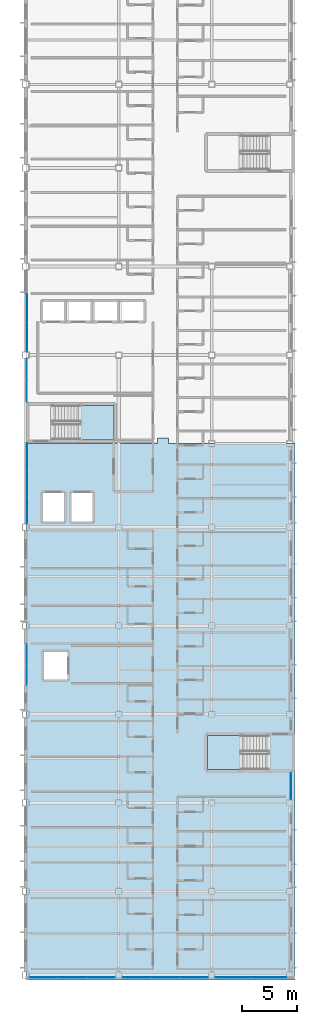
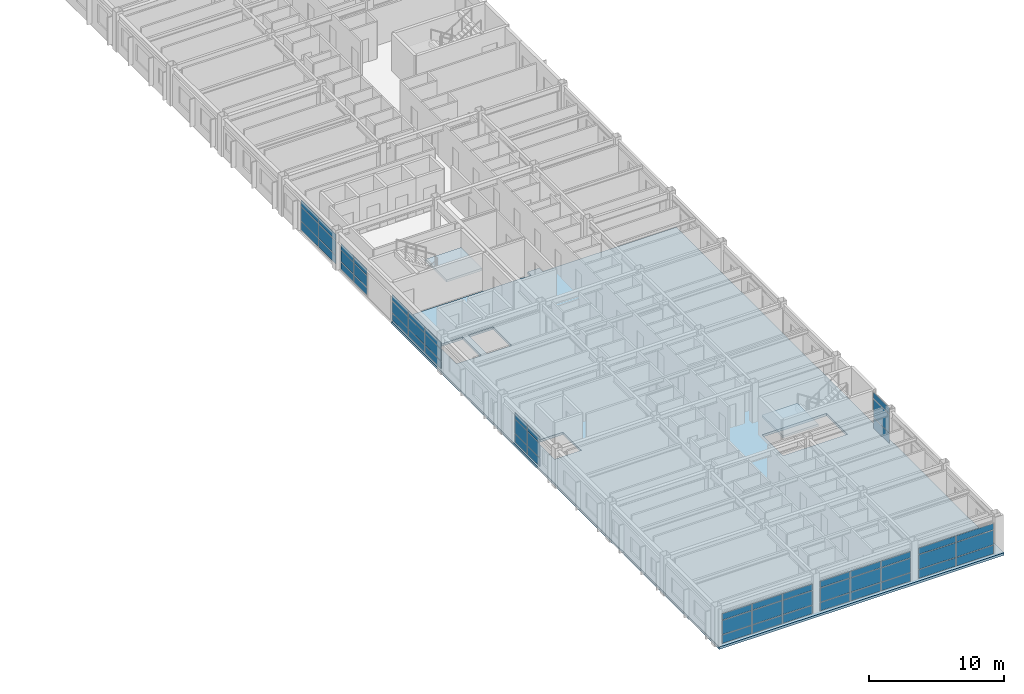
# One storey, part 21 of 38: 54 plates, 3 slabs, 10 elements without a shape of their own.
"""IFC4 building model written with IfcOpenShell, lengths in metres."""

from ifc_helpers import new_model, si_unit, direction, frame, origin, origin_2d, place, context, subcontext, project, spatial, polyline, rectangle, outline, extrude, material, layer, layer_set, type_object, element, aggregate, save


model = new_model("IFC4")

# Units and contexts
model_context = context("Model", 3, precision=1e-05, world=origin(), true_north=direction((0.0, 1.0)))
body_context = subcontext(model_context, "Body", "Model", "MODEL_VIEW")
ifc_project = project(units=[si_unit("LENGTHUNIT", "METRE"), si_unit("AREAUNIT", "SQUARE_METRE"), si_unit("VOLUMEUNIT", "CUBIC_METRE"), si_unit("PLANEANGLEUNIT", "RADIAN"), si_unit("MASSUNIT", "GRAM", prefix="KILO")], contexts=[model_context])

# Site, building, storey
site_placement = place(None, origin())
site = spatial("IfcSite", under=ifc_project, at=site_placement, CompositionType="ELEMENT")
building_placement = place(site_placement, origin())
building = spatial("IfcBuilding", under=site, at=building_placement, Name="Kazehara Bluff Congress Hotel", CompositionType="ELEMENT")
storey_placement = place(building_placement, frame((0.0, 0.0, 24.60009765625)))
storey = spatial("IfcBuildingStorey", under=building, at=storey_placement, Name="L05", CompositionType="ELEMENT", Elevation=24.60009765625)

# Curtain wall, plates
ifc_material_1 = material(Name="Anodised aluminium", Category="aluminium")
ifc_layer_1 = layer(ifc_material_1, 0.159912109375)
ifc_layer_set_1 = layer_set([ifc_layer_1], Name="Anodised aluminium")
curtain_wall_type_1 = type_object("IfcCurtainWallType", Name="TP-CW-171", PredefinedType="NOTDEFINED", material=ifc_layer_set_1)
curtain_wall_1_placement = place(storey_placement, origin())
curtain_wall_1 = element("IfcCurtainWall", 1, at=curtain_wall_1_placement, inside=storey, type_object=curtain_wall_type_1, Name="L05 curtain wall CW-171 CW-ENC-V5-L05-14791-22", PredefinedType="NOTDEFINED")
ifc_material_2 = material(Name="Insulated low-E double glazing", Category="glass")
ifc_layer_2 = layer(ifc_material_2, 0.028076171875)
ifc_layer_set_2 = layer_set([ifc_layer_2], Name="Insulated low-E double glazing")
plate_type_1 = type_object("IfcPlateType", Name="TP-CWP-01", PredefinedType="CURTAIN_PANEL", material=ifc_layer_set_2)
plate_1_placement = place(storey_placement, frame((150.504638671875, 0.219970703125, 0.06494140625), z_axis=(0.0, 0.0, 1.0), x_axis=(-1.0, 0.0, 0.0)))
plate_1 = element("IfcPlate", 2, at=plate_1_placement, type_object=plate_type_1, Name="CW-171 panel 1.1", PredefinedType="CURTAIN_PANEL", context=body_context, shape_type="SweptSolid", body=[
    extrude(rectangle(XDim=2.5107421875, YDim=0.028076171875, at=origin_2d()), origin(), (0.0, 0.0, 1.0), 0.742431640625),
])
plate_2_placement = place(storey_placement, frame((150.504638671875, 0.219970703125, 0.872314453125), z_axis=(0.0, 0.0, 1.0), x_axis=(-1.0, 0.0, 0.0)))
plate_2 = element("IfcPlate", 3, at=plate_2_placement, type_object=plate_type_1, Name="CW-171 panel 1.2", PredefinedType="CURTAIN_PANEL", context=body_context, shape_type="SweptSolid", body=[
    extrude(rectangle(XDim=2.5107421875, YDim=0.028076171875, at=origin_2d()), origin(), (0.0, 0.0, 1.0), 1.25),
])
plate_3_placement = place(storey_placement, frame((150.504638671875, 0.219970703125, 2.1875), z_axis=(0.0, 0.0, 1.0), x_axis=(-1.0, 0.0, 0.0)))
plate_3 = element("IfcPlate", 4, at=plate_3_placement, type_object=plate_type_1, Name="CW-171 panel 1.3", PredefinedType="CURTAIN_PANEL", context=body_context, shape_type="SweptSolid", body=[
    extrude(rectangle(XDim=2.5107421875, YDim=0.028076171875, at=origin_2d()), origin(), (0.0, 0.0, 1.0), 0.552490234375),
])
plate_4_placement = place(storey_placement, frame((147.91259765625, 0.219970703125, 0.06494140625), z_axis=(0.0, 0.0, 1.0), x_axis=(-1.0, 0.0, 0.0)))
plate_4 = element("IfcPlate", 5, at=plate_4_placement, type_object=plate_type_1, Name="CW-171 panel 2.1", PredefinedType="CURTAIN_PANEL", context=body_context, shape_type="SweptSolid", body=[
    extrude(rectangle(XDim=2.543212890625, YDim=0.028076171875, at=origin_2d()), origin(), (0.0, 0.0, 1.0), 0.742431640625),
])
plate_5_placement = place(storey_placement, frame((147.91259765625, 0.219970703125, 0.872314453125), z_axis=(0.0, 0.0, 1.0), x_axis=(-1.0, 0.0, 0.0)))
plate_5 = element("IfcPlate", 6, at=plate_5_placement, type_object=plate_type_1, Name="CW-171 panel 2.2", PredefinedType="CURTAIN_PANEL", context=body_context, shape_type="SweptSolid", body=[
    extrude(rectangle(XDim=2.543212890625, YDim=0.028076171875, at=origin_2d()), origin(), (0.0, 0.0, 1.0), 1.25),
])
plate_6_placement = place(storey_placement, frame((147.91259765625, 0.219970703125, 2.1875), z_axis=(0.0, 0.0, 1.0), x_axis=(-1.0, 0.0, 0.0)))
plate_6 = element("IfcPlate", 7, at=plate_6_placement, type_object=plate_type_1, Name="CW-171 panel 2.3", PredefinedType="CURTAIN_PANEL", context=body_context, shape_type="SweptSolid", body=[
    extrude(rectangle(XDim=2.543212890625, YDim=0.028076171875, at=origin_2d()), origin(), (0.0, 0.0, 1.0), 0.552490234375),
])
plate_7_placement = place(storey_placement, frame((145.3203125, 0.219970703125, 0.06494140625), z_axis=(0.0, 0.0, 1.0), x_axis=(-1.0, 0.0, 0.0)))
plate_7 = element("IfcPlate", 8, at=plate_7_placement, type_object=plate_type_1, Name="CW-171 panel 3.1", PredefinedType="CURTAIN_PANEL", context=body_context, shape_type="SweptSolid", body=[
    extrude(rectangle(XDim=2.5107421875, YDim=0.028076171875, at=origin_2d()), origin(), (0.0, 0.0, 1.0), 0.742431640625),
])
plate_8_placement = place(storey_placement, frame((145.3203125, 0.219970703125, 0.872314453125), z_axis=(0.0, 0.0, 1.0), x_axis=(-1.0, 0.0, 0.0)))
plate_8 = element("IfcPlate", 9, at=plate_8_placement, type_object=plate_type_1, Name="CW-171 panel 3.2", PredefinedType="CURTAIN_PANEL", context=body_context, shape_type="SweptSolid", body=[
    extrude(rectangle(XDim=2.5107421875, YDim=0.028076171875, at=origin_2d()), origin(), (0.0, 0.0, 1.0), 1.25),
])
plate_9_placement = place(storey_placement, frame((145.3203125, 0.219970703125, 2.1875), z_axis=(0.0, 0.0, 1.0), x_axis=(-1.0, 0.0, 0.0)))
plate_9 = element("IfcPlate", 10, at=plate_9_placement, type_object=plate_type_1, Name="CW-171 panel 3.3", PredefinedType="CURTAIN_PANEL", context=body_context, shape_type="SweptSolid", body=[
    extrude(rectangle(XDim=2.5107421875, YDim=0.028076171875, at=origin_2d()), origin(), (0.0, 0.0, 1.0), 0.552490234375),
])
aggregate(curtain_wall_1, [plate_1, plate_2, plate_3, plate_4, plate_5, plate_6, plate_7, plate_8, plate_9])

ifc_material_3 = material(Name="Anodised aluminium", Category="aluminium")
ifc_layer_3 = layer(ifc_material_3, 0.159912109375)
ifc_layer_set_3 = layer_set([ifc_layer_3], Name="Anodised aluminium")
curtain_wall_type_2 = type_object("IfcCurtainWallType", Name="TP-CW-172", PredefinedType="NOTDEFINED", material=ifc_layer_set_3)
curtain_wall_2_placement = place(storey_placement, origin())
curtain_wall_2 = element("IfcCurtainWall", 11, at=curtain_wall_2_placement, inside=storey, type_object=curtain_wall_type_2, Name="L05 curtain wall CW-172 CW-ENC-V5-L05-15630-22", PredefinedType="NOTDEFINED")
plate_10_placement = place(storey_placement, frame((158.900390625, 0.219970703125, 0.06494140625), z_axis=(0.0, 0.0, 1.0), x_axis=(-1.0, 0.0, 0.0)))
plate_10 = element("IfcPlate", 12, at=plate_10_placement, type_object=plate_type_1, Name="CW-172 panel 1.1", PredefinedType="CURTAIN_PANEL", context=body_context, shape_type="SweptSolid", body=[
    extrude(rectangle(XDim=2.519287109375, YDim=0.028076171875, at=origin_2d()), origin(), (0.0, 0.0, 1.0), 0.742431640625),
])
plate_11_placement = place(storey_placement, frame((158.900390625, 0.219970703125, 0.872314453125), z_axis=(0.0, 0.0, 1.0), x_axis=(-1.0, 0.0, 0.0)))
plate_11 = element("IfcPlate", 13, at=plate_11_placement, type_object=plate_type_1, Name="CW-172 panel 1.2", PredefinedType="CURTAIN_PANEL", context=body_context, shape_type="SweptSolid", body=[
    extrude(rectangle(XDim=2.519287109375, YDim=0.028076171875, at=origin_2d()), origin(), (0.0, 0.0, 1.0), 1.25),
])
plate_12_placement = place(storey_placement, frame((158.900390625, 0.219970703125, 2.1875), z_axis=(0.0, 0.0, 1.0), x_axis=(-1.0, 0.0, 0.0)))
plate_12 = element("IfcPlate", 14, at=plate_12_placement, type_object=plate_type_1, Name="CW-172 panel 1.3", PredefinedType="CURTAIN_PANEL", context=body_context, shape_type="SweptSolid", body=[
    extrude(rectangle(XDim=2.519287109375, YDim=0.028076171875, at=origin_2d()), origin(), (0.0, 0.0, 1.0), 0.552490234375),
])
plate_13_placement = place(storey_placement, frame((156.300048828125, 0.219970703125, 0.06494140625), z_axis=(0.0, 0.0, 1.0), x_axis=(-1.0, 0.0, 0.0)))
plate_13 = element("IfcPlate", 15, at=plate_13_placement, type_object=plate_type_1, Name="CW-172 panel 2.1", PredefinedType="CURTAIN_PANEL", context=body_context, shape_type="SweptSolid", body=[
    extrude(rectangle(XDim=2.5517578125, YDim=0.028076171875, at=origin_2d()), origin(), (0.0, 0.0, 1.0), 0.742431640625),
])
plate_14_placement = place(storey_placement, frame((156.300048828125, 0.219970703125, 0.872314453125), z_axis=(0.0, 0.0, 1.0), x_axis=(-1.0, 0.0, 0.0)))
plate_14 = element("IfcPlate", 16, at=plate_14_placement, type_object=plate_type_1, Name="CW-172 panel 2.2", PredefinedType="CURTAIN_PANEL", context=body_context, shape_type="SweptSolid", body=[
    extrude(rectangle(XDim=2.5517578125, YDim=0.028076171875, at=origin_2d()), origin(), (0.0, 0.0, 1.0), 1.25),
])
plate_15_placement = place(storey_placement, frame((156.300048828125, 0.219970703125, 2.1875), z_axis=(0.0, 0.0, 1.0), x_axis=(-1.0, 0.0, 0.0)))
plate_15 = element("IfcPlate", 17, at=plate_15_placement, type_object=plate_type_1, Name="CW-172 panel 2.3", PredefinedType="CURTAIN_PANEL", context=body_context, shape_type="SweptSolid", body=[
    extrude(rectangle(XDim=2.5517578125, YDim=0.028076171875, at=origin_2d()), origin(), (0.0, 0.0, 1.0), 0.552490234375),
])
plate_16_placement = place(storey_placement, frame((153.699462890625, 0.219970703125, 0.06494140625), z_axis=(0.0, 0.0, 1.0), x_axis=(-1.0, 0.0, 0.0)))
plate_16 = element("IfcPlate", 18, at=plate_16_placement, type_object=plate_type_1, Name="CW-172 panel 3.1", PredefinedType="CURTAIN_PANEL", context=body_context, shape_type="SweptSolid", body=[
    extrude(rectangle(XDim=2.519287109375, YDim=0.028076171875, at=origin_2d()), origin(), (0.0, 0.0, 1.0), 0.742431640625),
])
plate_17_placement = place(storey_placement, frame((153.699462890625, 0.219970703125, 0.872314453125), z_axis=(0.0, 0.0, 1.0), x_axis=(-1.0, 0.0, 0.0)))
plate_17 = element("IfcPlate", 19, at=plate_17_placement, type_object=plate_type_1, Name="CW-172 panel 3.2", PredefinedType="CURTAIN_PANEL", context=body_context, shape_type="SweptSolid", body=[
    extrude(rectangle(XDim=2.519287109375, YDim=0.028076171875, at=origin_2d()), origin(), (0.0, 0.0, 1.0), 1.25),
])
plate_18_placement = place(storey_placement, frame((153.699462890625, 0.219970703125, 2.1875), z_axis=(0.0, 0.0, 1.0), x_axis=(-1.0, 0.0, 0.0)))
plate_18 = element("IfcPlate", 20, at=plate_18_placement, type_object=plate_type_1, Name="CW-172 panel 3.3", PredefinedType="CURTAIN_PANEL", context=body_context, shape_type="SweptSolid", body=[
    extrude(rectangle(XDim=2.519287109375, YDim=0.028076171875, at=origin_2d()), origin(), (0.0, 0.0, 1.0), 0.552490234375),
])
aggregate(curtain_wall_2, [plate_10, plate_11, plate_12, plate_13, plate_14, plate_15, plate_16, plate_17, plate_18])

ifc_material_4 = material(Name="Anodised aluminium", Category="aluminium")
ifc_layer_4 = layer(ifc_material_4, 0.159912109375)
ifc_layer_set_4 = layer_set([ifc_layer_4], Name="Anodised aluminium")
curtain_wall_type_3 = type_object("IfcCurtainWallType", Name="TP-CW-173", PredefinedType="NOTDEFINED", material=ifc_layer_set_4)
curtain_wall_3_placement = place(storey_placement, origin())
curtain_wall_3 = element("IfcCurtainWall", 21, at=curtain_wall_3_placement, inside=storey, type_object=curtain_wall_type_3, Name="L05 curtain wall CW-173 CW-ENC-V5-L05-16402-22", PredefinedType="NOTDEFINED")
plate_19_placement = place(storey_placement, frame((165.635009765625, 0.219970703125, 0.06005859375), z_axis=(0.0, 0.0, 1.0), x_axis=(-1.0, 0.0, 0.0)))
plate_19 = element("IfcPlate", 22, at=plate_19_placement, type_object=plate_type_1, Name="CW-173 panel 1.1", PredefinedType="CURTAIN_PANEL", context=body_context, shape_type="SweptSolid", body=[
    extrude(rectangle(XDim=3.159912109375, YDim=0.028076171875, at=origin_2d()), origin(), (0.0, 0.0, 1.0), 0.764892578125),
])
plate_20_placement = place(storey_placement, frame((165.635009765625, 0.219970703125, 0.884765625), z_axis=(0.0, 0.0, 1.0), x_axis=(-1.0, 0.0, 0.0)))
plate_20 = element("IfcPlate", 23, at=plate_20_placement, type_object=plate_type_1, Name="CW-173 panel 1.2", PredefinedType="CURTAIN_PANEL", context=body_context, shape_type="SweptSolid", body=[
    extrude(rectangle(XDim=3.159912109375, YDim=0.028076171875, at=origin_2d()), origin(), (0.0, 0.0, 1.0), 1.2900390625),
])
plate_21_placement = place(storey_placement, frame((165.635009765625, 0.219970703125, 2.23486328125), z_axis=(0.0, 0.0, 1.0), x_axis=(-1.0, 0.0, 0.0)))
plate_21 = element("IfcPlate", 24, at=plate_21_placement, type_object=plate_type_1, Name="CW-173 panel 1.3", PredefinedType="CURTAIN_PANEL", context=body_context, shape_type="SweptSolid", body=[
    extrude(rectangle(XDim=3.159912109375, YDim=0.028076171875, at=origin_2d()), origin(), (0.0, 0.0, 1.0), 0.56005859375),
])
plate_22_placement = place(storey_placement, frame((162.4150390625, 0.219970703125, 0.06005859375), z_axis=(0.0, 0.0, 1.0), x_axis=(-1.0, 0.0, 0.0)))
plate_22 = element("IfcPlate", 25, at=plate_22_placement, type_object=plate_type_1, Name="CW-173 panel 2.1", PredefinedType="CURTAIN_PANEL", context=body_context, shape_type="SweptSolid", body=[
    extrude(rectangle(XDim=3.159912109375, YDim=0.028076171875, at=origin_2d()), origin(), (0.0, 0.0, 1.0), 0.764892578125),
])
plate_23_placement = place(storey_placement, frame((162.4150390625, 0.219970703125, 0.884765625), z_axis=(0.0, 0.0, 1.0), x_axis=(-1.0, 0.0, 0.0)))
plate_23 = element("IfcPlate", 26, at=plate_23_placement, type_object=plate_type_1, Name="CW-173 panel 2.2", PredefinedType="CURTAIN_PANEL", context=body_context, shape_type="SweptSolid", body=[
    extrude(rectangle(XDim=3.159912109375, YDim=0.028076171875, at=origin_2d()), origin(), (0.0, 0.0, 1.0), 1.2900390625),
])
plate_24_placement = place(storey_placement, frame((162.4150390625, 0.219970703125, 2.23486328125), z_axis=(0.0, 0.0, 1.0), x_axis=(-1.0, 0.0, 0.0)))
plate_24 = element("IfcPlate", 27, at=plate_24_placement, type_object=plate_type_1, Name="CW-173 panel 2.3", PredefinedType="CURTAIN_PANEL", context=body_context, shape_type="SweptSolid", body=[
    extrude(rectangle(XDim=3.159912109375, YDim=0.028076171875, at=origin_2d()), origin(), (0.0, 0.0, 1.0), 0.56005859375),
])
aggregate(curtain_wall_3, [plate_19, plate_20, plate_21, plate_22, plate_23, plate_24])

ifc_material_5 = material(Name="Anodised aluminium", Category="aluminium")
ifc_layer_5 = layer(ifc_material_5, 0.159912109375)
ifc_layer_set_5 = layer_set([ifc_layer_5], Name="Anodised aluminium")
curtain_wall_type_4 = type_object("IfcCurtainWallType", Name="TP-CW-177", PredefinedType="NOTDEFINED", material=ifc_layer_set_5)
curtain_wall_4_placement = place(storey_placement, origin())
curtain_wall_4 = element("IfcCurtainWall", 28, at=curtain_wall_4_placement, inside=storey, type_object=curtain_wall_type_4, Name="L05 curtain wall CW-177 CW-ENC-V5-L05-14380-4487", PredefinedType="NOTDEFINED")
plate_25_placement = place(storey_placement, frame((143.800048828125, 42.439697265625, 0.06494140625), z_axis=(0.0, 0.0, 1.0), x_axis=(0.0, 1.0, 0.0)))
plate_25 = element("IfcPlate", 29, at=plate_25_placement, type_object=plate_type_1, Name="CW-177 panel 1.1", PredefinedType="CURTAIN_PANEL", context=body_context, shape_type="SweptSolid", body=[
    extrude(rectangle(XDim=2.34912109375, YDim=0.028076171875, at=origin_2d()), origin(), (0.0, 0.0, 1.0), 0.637451171875),
])
plate_26_placement = place(storey_placement, frame((143.800048828125, 42.439697265625, 0.767578125), z_axis=(0.0, 0.0, 1.0), x_axis=(0.0, 1.0, 0.0)))
plate_26 = element("IfcPlate", 30, at=plate_26_placement, type_object=plate_type_1, Name="CW-177 panel 1.2", PredefinedType="CURTAIN_PANEL", context=body_context, shape_type="SweptSolid", body=[
    extrude(rectangle(XDim=2.34912109375, YDim=0.028076171875, at=origin_2d()), origin(), (0.0, 0.0, 1.0), 1.0048828125),
])
plate_27_placement = place(storey_placement, frame((143.800048828125, 42.439697265625, 1.83740234375), z_axis=(0.0, 0.0, 1.0), x_axis=(0.0, 1.0, 0.0)))
plate_27 = element("IfcPlate", 31, at=plate_27_placement, type_object=plate_type_1, Name="CW-177 panel 1.3", PredefinedType="CURTAIN_PANEL", context=body_context, shape_type="SweptSolid", body=[
    extrude(rectangle(XDim=2.34912109375, YDim=0.028076171875, at=origin_2d()), origin(), (0.0, 0.0, 1.0), 0.552490234375),
])
plate_28_placement = place(storey_placement, frame((143.800048828125, 44.8701171875, 0.06494140625), z_axis=(0.0, 0.0, 1.0), x_axis=(0.0, 1.0, 0.0)))
plate_28 = element("IfcPlate", 32, at=plate_28_placement, type_object=plate_type_1, Name="CW-177 panel 2.1", PredefinedType="CURTAIN_PANEL", context=body_context, shape_type="SweptSolid", body=[
    extrude(rectangle(XDim=2.381591796875, YDim=0.028076171875, at=origin_2d()), origin(), (0.0, 0.0, 1.0), 0.637451171875),
])
plate_29_placement = place(storey_placement, frame((143.800048828125, 44.8701171875, 0.767578125), z_axis=(0.0, 0.0, 1.0), x_axis=(0.0, 1.0, 0.0)))
plate_29 = element("IfcPlate", 33, at=plate_29_placement, type_object=plate_type_1, Name="CW-177 panel 2.2", PredefinedType="CURTAIN_PANEL", context=body_context, shape_type="SweptSolid", body=[
    extrude(rectangle(XDim=2.381591796875, YDim=0.028076171875, at=origin_2d()), origin(), (0.0, 0.0, 1.0), 1.0048828125),
])
plate_30_placement = place(storey_placement, frame((143.800048828125, 44.8701171875, 1.83740234375), z_axis=(0.0, 0.0, 1.0), x_axis=(0.0, 1.0, 0.0)))
plate_30 = element("IfcPlate", 34, at=plate_30_placement, type_object=plate_type_1, Name="CW-177 panel 2.3", PredefinedType="CURTAIN_PANEL", context=body_context, shape_type="SweptSolid", body=[
    extrude(rectangle(XDim=2.381591796875, YDim=0.028076171875, at=origin_2d()), origin(), (0.0, 0.0, 1.0), 0.552490234375),
])
plate_31_placement = place(storey_placement, frame((143.800048828125, 47.300537109375, 0.06494140625), z_axis=(0.0, 0.0, 1.0), x_axis=(0.0, 1.0, 0.0)))
plate_31 = element("IfcPlate", 35, at=plate_31_placement, type_object=plate_type_1, Name="CW-177 panel 3.1", PredefinedType="CURTAIN_PANEL", context=body_context, shape_type="SweptSolid", body=[
    extrude(rectangle(XDim=2.34912109375, YDim=0.028076171875, at=origin_2d()), origin(), (0.0, 0.0, 1.0), 0.637451171875),
])
plate_32_placement = place(storey_placement, frame((143.800048828125, 47.300537109375, 0.767578125), z_axis=(0.0, 0.0, 1.0), x_axis=(0.0, 1.0, 0.0)))
plate_32 = element("IfcPlate", 36, at=plate_32_placement, type_object=plate_type_1, Name="CW-177 panel 3.2", PredefinedType="CURTAIN_PANEL", context=body_context, shape_type="SweptSolid", body=[
    extrude(rectangle(XDim=2.34912109375, YDim=0.028076171875, at=origin_2d()), origin(), (0.0, 0.0, 1.0), 1.0048828125),
])
plate_33_placement = place(storey_placement, frame((143.800048828125, 47.300537109375, 1.83740234375), z_axis=(0.0, 0.0, 1.0), x_axis=(0.0, 1.0, 0.0)))
plate_33 = element("IfcPlate", 37, at=plate_33_placement, type_object=plate_type_1, Name="CW-177 panel 3.3", PredefinedType="CURTAIN_PANEL", context=body_context, shape_type="SweptSolid", body=[
    extrude(rectangle(XDim=2.34912109375, YDim=0.028076171875, at=origin_2d()), origin(), (0.0, 0.0, 1.0), 0.552490234375),
])
aggregate(curtain_wall_4, [plate_25, plate_26, plate_27, plate_28, plate_29, plate_30, plate_31, plate_32, plate_33])

ifc_material_6 = material(Name="Anodised aluminium", Category="aluminium")
ifc_layer_6 = layer(ifc_material_6, 0.159912109375)
ifc_layer_set_6 = layer_set([ifc_layer_6], Name="Anodised aluminium")
curtain_wall_type_5 = type_object("IfcCurtainWallType", Name="TP-CW-179", PredefinedType="NOTDEFINED", material=ifc_layer_set_6)
curtain_wall_5_placement = place(storey_placement, origin())
curtain_wall_5 = element("IfcCurtainWall", 38, at=curtain_wall_5_placement, inside=storey, type_object=curtain_wall_type_5, Name="L05 curtain wall CW-179 CW-ENC-V5-L05-14380-5938", PredefinedType="NOTDEFINED")
plate_34_placement = place(storey_placement, frame((143.800048828125, 58.077392578125, 0.059814453125), z_axis=(0.0, 0.0, 1.0), x_axis=(0.0, 1.0, 0.0)))
plate_34 = element("IfcPlate", 39, at=plate_34_placement, type_object=plate_type_1, Name="CW-179 panel 1.1", PredefinedType="CURTAIN_PANEL", context=body_context, shape_type="SweptSolid", body=[
    extrude(rectangle(XDim=2.534912109375, YDim=0.028076171875, at=origin_2d()), origin(), (0.0, 0.0, 1.0), 0.75),
])
plate_35_placement = place(storey_placement, frame((143.800048828125, 58.077392578125, 0.869873046875), z_axis=(0.0, 0.0, 1.0), x_axis=(0.0, 1.0, 0.0)))
plate_35 = element("IfcPlate", 40, at=plate_35_placement, type_object=plate_type_1, Name="CW-179 panel 1.2", PredefinedType="CURTAIN_PANEL", context=body_context, shape_type="SweptSolid", body=[
    extrude(rectangle(XDim=2.534912109375, YDim=0.028076171875, at=origin_2d()), origin(), (0.0, 0.0, 1.0), 1.2548828125),
])
plate_36_placement = place(storey_placement, frame((143.800048828125, 58.077392578125, 2.184814453125), z_axis=(0.0, 0.0, 1.0), x_axis=(0.0, 1.0, 0.0)))
plate_36 = element("IfcPlate", 41, at=plate_36_placement, type_object=plate_type_1, Name="CW-179 panel 1.3", PredefinedType="CURTAIN_PANEL", context=body_context, shape_type="SweptSolid", body=[
    extrude(rectangle(XDim=2.534912109375, YDim=0.028076171875, at=origin_2d()), origin(), (0.0, 0.0, 1.0), 0.56005859375),
])
plate_37_placement = place(storey_placement, frame((143.800048828125, 60.672607421875, 0.059814453125), z_axis=(0.0, 0.0, 1.0), x_axis=(0.0, 1.0, 0.0)))
plate_37 = element("IfcPlate", 42, at=plate_37_placement, type_object=plate_type_1, Name="CW-179 panel 2.1", PredefinedType="CURTAIN_PANEL", context=body_context, shape_type="SweptSolid", body=[
    extrude(rectangle(XDim=2.534912109375, YDim=0.028076171875, at=origin_2d()), origin(), (0.0, 0.0, 1.0), 0.75),
])
plate_38_placement = place(storey_placement, frame((143.800048828125, 60.672607421875, 0.869873046875), z_axis=(0.0, 0.0, 1.0), x_axis=(0.0, 1.0, 0.0)))
plate_38 = element("IfcPlate", 43, at=plate_38_placement, type_object=plate_type_1, Name="CW-179 panel 2.2", PredefinedType="CURTAIN_PANEL", context=body_context, shape_type="SweptSolid", body=[
    extrude(rectangle(XDim=2.534912109375, YDim=0.028076171875, at=origin_2d()), origin(), (0.0, 0.0, 1.0), 1.2548828125),
])
plate_39_placement = place(storey_placement, frame((143.800048828125, 60.672607421875, 2.184814453125), z_axis=(0.0, 0.0, 1.0), x_axis=(0.0, 1.0, 0.0)))
plate_39 = element("IfcPlate", 44, at=plate_39_placement, type_object=plate_type_1, Name="CW-179 panel 2.3", PredefinedType="CURTAIN_PANEL", context=body_context, shape_type="SweptSolid", body=[
    extrude(rectangle(XDim=2.534912109375, YDim=0.028076171875, at=origin_2d()), origin(), (0.0, 0.0, 1.0), 0.56005859375),
])
aggregate(curtain_wall_5, [plate_34, plate_35, plate_36, plate_37, plate_38, plate_39])

ifc_material_7 = material(Name="Anodised aluminium", Category="aluminium")
ifc_layer_7 = layer(ifc_material_7, 0.159912109375)
ifc_layer_set_7 = layer_set([ifc_layer_7], Name="Anodised aluminium")
curtain_wall_type_6 = type_object("IfcCurtainWallType", Name="TP-CW-174", PredefinedType="NOTDEFINED", material=ifc_layer_set_7)
curtain_wall_6_placement = place(storey_placement, origin())
curtain_wall_6 = element("IfcCurtainWall", 45, at=curtain_wall_6_placement, inside=storey, type_object=curtain_wall_type_6, Name="L05 curtain wall CW-174 CW-ENC-V5-L05-16765-1751", PredefinedType="NOTDEFINED")
ifc_material_8 = material(Name="Insulated low-E double glazing", Category="glass")
ifc_layer_8 = layer(ifc_material_8, 0.02001953125)
ifc_layer_set_8 = layer_set([ifc_layer_8], Name="Insulated low-E double glazing")
plate_type_2 = type_object("IfcPlateType", Name="TP-CWP-03", PredefinedType="CURTAIN_PANEL", material=ifc_layer_set_8)
plate_40_placement = place(storey_placement, frame((167.64990234375, 17.507568359375, 0.06005859375), z_axis=(0.0, 0.0, 1.0), x_axis=(0.0, -1.0, 0.0)))
plate_40 = element("IfcPlate", 46, at=plate_40_placement, type_object=plate_type_2, Name="CW-174 panel 1.1", PredefinedType="CURTAIN_PANEL", context=body_context, shape_type="SweptSolid", body=[
    extrude(rectangle(XDim=2.344970703125, YDim=0.02001953125, at=origin_2d()), origin(), (0.0, 0.0, 1.0), 0.919921875),
])
plate_41_placement = place(storey_placement, frame((167.64990234375, 17.507568359375, 1.039794921875), z_axis=(0.0, 0.0, 1.0), x_axis=(0.0, -1.0, 0.0)))
plate_41 = element("IfcPlate", 47, at=plate_41_placement, type_object=plate_type_2, Name="CW-174 panel 1.2", PredefinedType="CURTAIN_PANEL", context=body_context, shape_type="SweptSolid", body=[
    extrude(rectangle(XDim=2.344970703125, YDim=0.02001953125, at=origin_2d()), origin(), (0.0, 0.0, 1.0), 1.64501953125),
])
plate_42_placement = place(storey_placement, frame((167.64990234375, 17.507568359375, 2.744873046875), z_axis=(0.0, 0.0, 1.0), x_axis=(0.0, -1.0, 0.0)))
plate_42 = element("IfcPlate", 48, at=plate_42_placement, type_object=plate_type_2, Name="CW-174 panel 1.3", PredefinedType="CURTAIN_PANEL", context=body_context, shape_type="SweptSolid", body=[
    extrude(rectangle(XDim=2.344970703125, YDim=0.02001953125, at=origin_2d()), origin(), (0.0, 0.0, 1.0), 0.56005859375),
])
aggregate(curtain_wall_6, [plate_40, plate_41, plate_42])

ifc_material_9 = material(Name="Anodised aluminium", Category="aluminium")
ifc_layer_9 = layer(ifc_material_9, 0.159912109375)
ifc_layer_set_9 = layer_set([ifc_layer_9], Name="Anodised aluminium")
curtain_wall_type_7 = type_object("IfcCurtainWallType", Name="TP-CW-176", PredefinedType="NOTDEFINED", material=ifc_layer_set_9)
curtain_wall_7_placement = place(storey_placement, origin())
curtain_wall_7 = element("IfcCurtainWall", 49, at=curtain_wall_7_placement, inside=storey, type_object=curtain_wall_type_7, Name="L05 curtain wall CW-176 CW-ENC-V5-L05-14380-2850", PredefinedType="NOTDEFINED")
plate_43_placement = place(storey_placement, frame((143.800048828125, 27.56494140625, 0.059814453125), z_axis=(0.0, 0.0, 1.0), x_axis=(0.0, 1.0, 0.0)))
plate_43 = element("IfcPlate", 50, at=plate_43_placement, type_object=plate_type_2, Name="CW-176 panel 1.1", PredefinedType="CURTAIN_PANEL", context=body_context, shape_type="SweptSolid", body=[
    extrude(rectangle(XDim=1.81005859375, YDim=0.02001953125, at=origin_2d()), origin(), (0.0, 0.0, 1.0), 0.75),
])
plate_44_placement = place(storey_placement, frame((143.800048828125, 27.56494140625, 0.869873046875), z_axis=(0.0, 0.0, 1.0), x_axis=(0.0, 1.0, 0.0)))
plate_44 = element("IfcPlate", 51, at=plate_44_placement, type_object=plate_type_2, Name="CW-176 panel 1.2", PredefinedType="CURTAIN_PANEL", context=body_context, shape_type="SweptSolid", body=[
    extrude(rectangle(XDim=1.81005859375, YDim=0.02001953125, at=origin_2d()), origin(), (0.0, 0.0, 1.0), 1.2548828125),
])
plate_45_placement = place(storey_placement, frame((143.800048828125, 27.56494140625, 2.184814453125), z_axis=(0.0, 0.0, 1.0), x_axis=(0.0, 1.0, 0.0)))
plate_45 = element("IfcPlate", 52, at=plate_45_placement, type_object=plate_type_2, Name="CW-176 panel 1.3", PredefinedType="CURTAIN_PANEL", context=body_context, shape_type="SweptSolid", body=[
    extrude(rectangle(XDim=1.81005859375, YDim=0.02001953125, at=origin_2d()), origin(), (0.0, 0.0, 1.0), 0.56005859375),
])
plate_46_placement = place(storey_placement, frame((143.800048828125, 29.43505859375, 0.059814453125), z_axis=(0.0, 0.0, 1.0), x_axis=(0.0, 1.0, 0.0)))
plate_46 = element("IfcPlate", 53, at=plate_46_placement, type_object=plate_type_2, Name="CW-176 panel 2.1", PredefinedType="CURTAIN_PANEL", context=body_context, shape_type="SweptSolid", body=[
    extrude(rectangle(XDim=1.81005859375, YDim=0.02001953125, at=origin_2d()), origin(), (0.0, 0.0, 1.0), 0.75),
])
plate_47_placement = place(storey_placement, frame((143.800048828125, 29.43505859375, 0.869873046875), z_axis=(0.0, 0.0, 1.0), x_axis=(0.0, 1.0, 0.0)))
plate_47 = element("IfcPlate", 54, at=plate_47_placement, type_object=plate_type_2, Name="CW-176 panel 2.2", PredefinedType="CURTAIN_PANEL", context=body_context, shape_type="SweptSolid", body=[
    extrude(rectangle(XDim=1.81005859375, YDim=0.02001953125, at=origin_2d()), origin(), (0.0, 0.0, 1.0), 1.2548828125),
])
plate_48_placement = place(storey_placement, frame((143.800048828125, 29.43505859375, 2.184814453125), z_axis=(0.0, 0.0, 1.0), x_axis=(0.0, 1.0, 0.0)))
plate_48 = element("IfcPlate", 55, at=plate_48_placement, type_object=plate_type_2, Name="CW-176 panel 2.3", PredefinedType="CURTAIN_PANEL", context=body_context, shape_type="SweptSolid", body=[
    extrude(rectangle(XDim=1.81005859375, YDim=0.02001953125, at=origin_2d()), origin(), (0.0, 0.0, 1.0), 0.56005859375),
])
aggregate(curtain_wall_7, [plate_43, plate_44, plate_45, plate_46, plate_47, plate_48])

ifc_material_10 = material(Name="Anodised aluminium", Category="aluminium")
ifc_layer_10 = layer(ifc_material_10, 0.159912109375)
ifc_layer_set_10 = layer_set([ifc_layer_10], Name="Anodised aluminium")
curtain_wall_type_8 = type_object("IfcCurtainWallType", Name="TP-CW-178", PredefinedType="NOTDEFINED", material=ifc_layer_set_10)
curtain_wall_8_placement = place(storey_placement, origin())
curtain_wall_8 = element("IfcCurtainWall", 56, at=curtain_wall_8_placement, inside=storey, type_object=curtain_wall_type_8, Name="L05 curtain wall CW-178 CW-ENC-V5-L05-14380-5416", PredefinedType="NOTDEFINED")
plate_49_placement = place(storey_placement, frame((143.800048828125, 53.172607421875, 0.059814453125), z_axis=(0.0, 0.0, 1.0), x_axis=(0.0, 1.0, 0.0)))
plate_49 = element("IfcPlate", 57, at=plate_49_placement, type_object=plate_type_2, Name="CW-178 panel 1.1", PredefinedType="CURTAIN_PANEL", context=body_context, shape_type="SweptSolid", body=[
    extrude(rectangle(XDim=1.905029296875, YDim=0.02001953125, at=origin_2d()), origin(), (0.0, 0.0, 1.0), 0.64501953125),
])
plate_50_placement = place(storey_placement, frame((143.800048828125, 53.172607421875, 0.76513671875), z_axis=(0.0, 0.0, 1.0), x_axis=(0.0, 1.0, 0.0)))
plate_50 = element("IfcPlate", 58, at=plate_50_placement, type_object=plate_type_2, Name="CW-178 panel 1.2", PredefinedType="CURTAIN_PANEL", context=body_context, shape_type="SweptSolid", body=[
    extrude(rectangle(XDim=1.905029296875, YDim=0.02001953125, at=origin_2d()), origin(), (0.0, 0.0, 1.0), 1.010009765625),
])
plate_51_placement = place(storey_placement, frame((143.800048828125, 53.172607421875, 1.8349609375), z_axis=(0.0, 0.0, 1.0), x_axis=(0.0, 1.0, 0.0)))
plate_51 = element("IfcPlate", 59, at=plate_51_placement, type_object=plate_type_2, Name="CW-178 panel 1.3", PredefinedType="CURTAIN_PANEL", context=body_context, shape_type="SweptSolid", body=[
    extrude(rectangle(XDim=1.905029296875, YDim=0.02001953125, at=origin_2d()), origin(), (0.0, 0.0, 1.0), 0.56005859375),
])
plate_52_placement = place(storey_placement, frame((143.800048828125, 55.137451171875, 0.059814453125), z_axis=(0.0, 0.0, 1.0), x_axis=(0.0, 1.0, 0.0)))
plate_52 = element("IfcPlate", 60, at=plate_52_placement, type_object=plate_type_2, Name="CW-178 panel 2.1", PredefinedType="CURTAIN_PANEL", context=body_context, shape_type="SweptSolid", body=[
    extrude(rectangle(XDim=1.905029296875, YDim=0.02001953125, at=origin_2d()), origin(), (0.0, 0.0, 1.0), 0.64501953125),
])
plate_53_placement = place(storey_placement, frame((143.800048828125, 55.137451171875, 0.76513671875), z_axis=(0.0, 0.0, 1.0), x_axis=(0.0, 1.0, 0.0)))
plate_53 = element("IfcPlate", 61, at=plate_53_placement, type_object=plate_type_2, Name="CW-178 panel 2.2", PredefinedType="CURTAIN_PANEL", context=body_context, shape_type="SweptSolid", body=[
    extrude(rectangle(XDim=1.905029296875, YDim=0.02001953125, at=origin_2d()), origin(), (0.0, 0.0, 1.0), 1.010009765625),
])
plate_54_placement = place(storey_placement, frame((143.800048828125, 55.137451171875, 1.8349609375), z_axis=(0.0, 0.0, 1.0), x_axis=(0.0, 1.0, 0.0)))
plate_54 = element("IfcPlate", 62, at=plate_54_placement, type_object=plate_type_2, Name="CW-178 panel 2.3", PredefinedType="CURTAIN_PANEL", context=body_context, shape_type="SweptSolid", body=[
    extrude(rectangle(XDim=1.905029296875, YDim=0.02001953125, at=origin_2d()), origin(), (0.0, 0.0, 1.0), 0.56005859375),
])
aggregate(curtain_wall_8, [plate_49, plate_50, plate_51, plate_52, plate_53, plate_54])

# Slab
ifc_material_11 = material(Name="Concrete C36/45", Category="concrete")
ifc_layer_11 = layer(ifc_material_11, 0.219970703125)
ifc_layer_set_11 = layer_set([ifc_layer_11], Name="Concrete C36/45")
slab_type_1 = type_object("IfcSlabType", Name="TP-SL-220", PredefinedType="FLOOR", material=ifc_layer_set_11)
slab_1_placement = place(storey_placement, frame((0.0, 0.0, -0.22021484375)))
element("IfcSlab", 63, at=slab_1_placement, inside=storey, type_object=slab_type_1, Name="L05 V5 composite floor slab S", PredefinedType="FLOOR", context=body_context, shape_type="SweptSolid", body=[
    extrude(outline(polyline([(143.699951171875, 0.0), (143.699951171875, 48.449951171875), (155.60009765625, 48.449951171875), (155.60009765625, 48.949951171875), (156.60009765625, 48.949951171875), (156.60009765625, 48.449951171875), (168.0, 48.449951171875), (168.0, 0.0), (143.699951171875, 0.0)]), holes=[polyline([(165.625, 22.10009765625), (160.10009765625, 22.10009765625), (160.10009765625, 19.0), (165.625, 19.0), (165.625, 22.10009765625)]), polyline([(145.14990234375, 41.324951171875), (147.25, 41.324951171875), (147.25, 44.074951171875), (145.14990234375, 44.074951171875), (145.14990234375, 41.324951171875)]), polyline([(147.75, 41.324951171875), (149.85009765625, 41.324951171875), (149.85009765625, 44.074951171875), (147.75, 44.074951171875), (147.75, 41.324951171875)]), polyline([(145.25, 27.050048828125), (147.550048828125, 27.050048828125), (147.550048828125, 29.75), (145.25, 29.75), (145.25, 27.050048828125)])]), origin(), (0.0, 0.0, 1.0), 0.22021484375),
])

# Stair, slab
ifc_material_12 = material(Name="Concrete C36/45", Category="concrete")
stair_type = type_object("IfcStairType", Name="TP-ST-T03", PredefinedType="HALF_TURN_STAIR", material=ifc_material_12)
stair_1_placement = place(storey_placement, origin())
stair_1 = element("IfcStair", 64, at=stair_1_placement, inside=storey, type_object=stair_type, Name="L05 Escape stair ST-10", PredefinedType="HALF_TURN_STAIR")
ifc_material_13 = material(Name="Concrete C36/45", Category="concrete")
ifc_layer_12 = layer(ifc_material_13, 0.199951171875)
ifc_layer_set_12 = layer_set([ifc_layer_12], Name="Concrete C36/45")
slab_type_2 = type_object("IfcSlabType", Name="TP-SLD-200", PredefinedType="LANDING", material=ifc_layer_set_12)
slab_2_placement = place(storey_placement, frame((0.0, 0.0, 1.599853515625)))
slab_2 = element("IfcSlab", 65, at=slab_2_placement, type_object=slab_type_2, Name="ST-10 landing 1", PredefinedType="LANDING", context=body_context, shape_type="SweptSolid", body=[
    extrude(outline(polyline([(163.1298828125, 22.10009765625), (160.10009765625, 22.10009765625), (160.10009765625, 19.0), (163.1298828125, 19.0), (163.1298828125, 22.10009765625)])), origin(), (0.0, 0.0, 1.0), 0.199951171875),
])
aggregate(stair_1, [slab_2])

stair_2_placement = place(storey_placement, origin())
stair_2 = element("IfcStair", 66, at=stair_2_placement, inside=storey, type_object=stair_type, Name="L05 Escape stair ST-11", PredefinedType="HALF_TURN_STAIR")
slab_3_placement = place(storey_placement, frame((0.0, 0.0, 1.599853515625)))
slab_3 = element("IfcSlab", 67, at=slab_3_placement, type_object=slab_type_2, Name="ST-11 landing 1", PredefinedType="LANDING", context=body_context, shape_type="SweptSolid", body=[
    extrude(outline(polyline([(148.6201171875, 48.800048828125), (151.64990234375, 48.800048828125), (151.64990234375, 51.89990234375), (148.6201171875, 51.89990234375), (148.6201171875, 48.800048828125)])), origin(), (0.0, 0.0, 1.0), 0.199951171875),
])
aggregate(stair_2, [slab_3])

save(model, "model.ifc")
